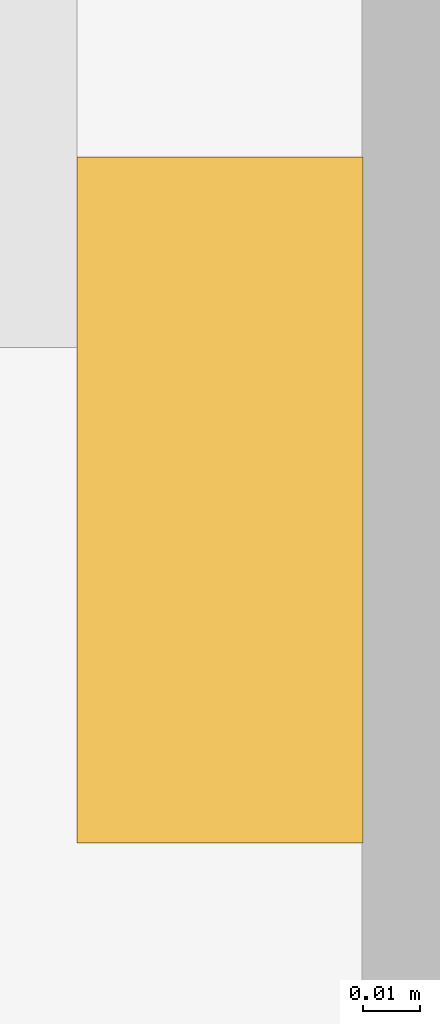
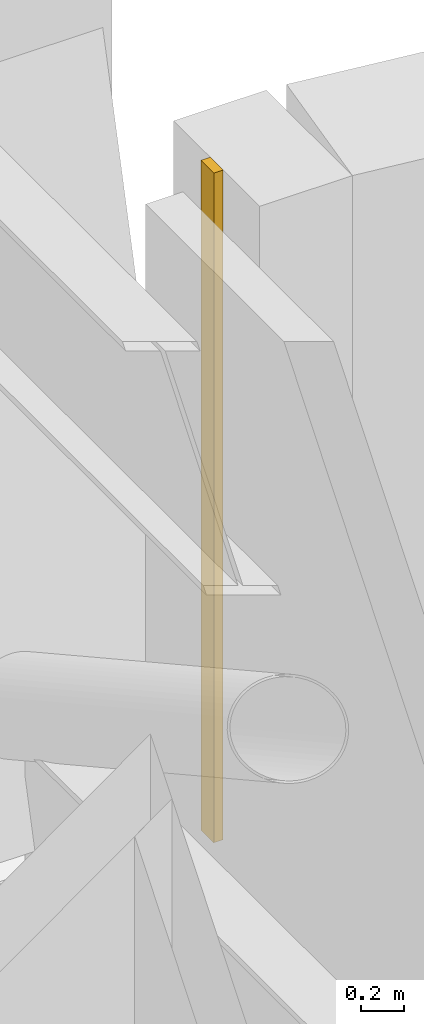
# One storey, part 25 of 27: 1 covering.
"""IFC4 building model written with IfcOpenShell, lengths in metres."""

from ifc_helpers import new_model, si_unit, direction, frame, origin, origin_2d, place, context, subcontext, project, spatial, rectangle, extrude, material, layer, layer_set, type_object, element, save


model = new_model("IFC4")

# Units and contexts
model_context = context("Model", 3, precision=1e-05, world=origin(), true_north=direction((0.0, 1.0)))
body_context = subcontext(model_context, "Body", "Model", "MODEL_VIEW")
ifc_project = project(units=[si_unit("LENGTHUNIT", "METRE"), si_unit("AREAUNIT", "SQUARE_METRE"), si_unit("VOLUMEUNIT", "CUBIC_METRE"), si_unit("PLANEANGLEUNIT", "RADIAN"), si_unit("MASSUNIT", "GRAM", prefix="KILO")], contexts=[model_context])

# Site, building, storey
site_placement = place(None, origin())
site = spatial("IfcSite", under=ifc_project, at=site_placement, CompositionType="ELEMENT")
building_placement = place(site_placement, origin())
building = spatial("IfcBuilding", under=site, at=building_placement, Name="Zellij Exchange Tower", CompositionType="ELEMENT")
storey_placement = place(building_placement, frame((0.0, 0.0, 104.5)))
storey = spatial("IfcBuildingStorey", under=building, at=storey_placement, Name="L22", CompositionType="ELEMENT", Elevation=104.5)

# Covering
ifc_material = material(Name="Limestone cladding", Category="masonry")
ifc_layer = layer(ifc_material, 0.1201171875)
ifc_layer_set = layer_set([ifc_layer], Name="Limestone cladding")
covering_type = type_object("IfcCoveringType", Name="ENV-CV18 Glazing closer 120", PredefinedType="CLADDING", material=ifc_layer_set)
covering_placement = place(storey_placement, frame((27.925048828125, 18.10009765625, 0.0), z_axis=(0.0, 0.0, 1.0), x_axis=(-1.0, 0.0, 0.0)))
element("IfcCovering", 1, at=covering_placement, inside=storey, type_object=covering_type, Name="Glazing closer", PredefinedType="CLADDING", context=body_context, shape_type="SweptSolid", body=[
    extrude(rectangle(XDim=0.050048828125, YDim=0.1201171875, at=origin_2d()), origin(), (0.0, 0.0, 1.0), 3.800048828125),
])

save(model, "model.ifc")
